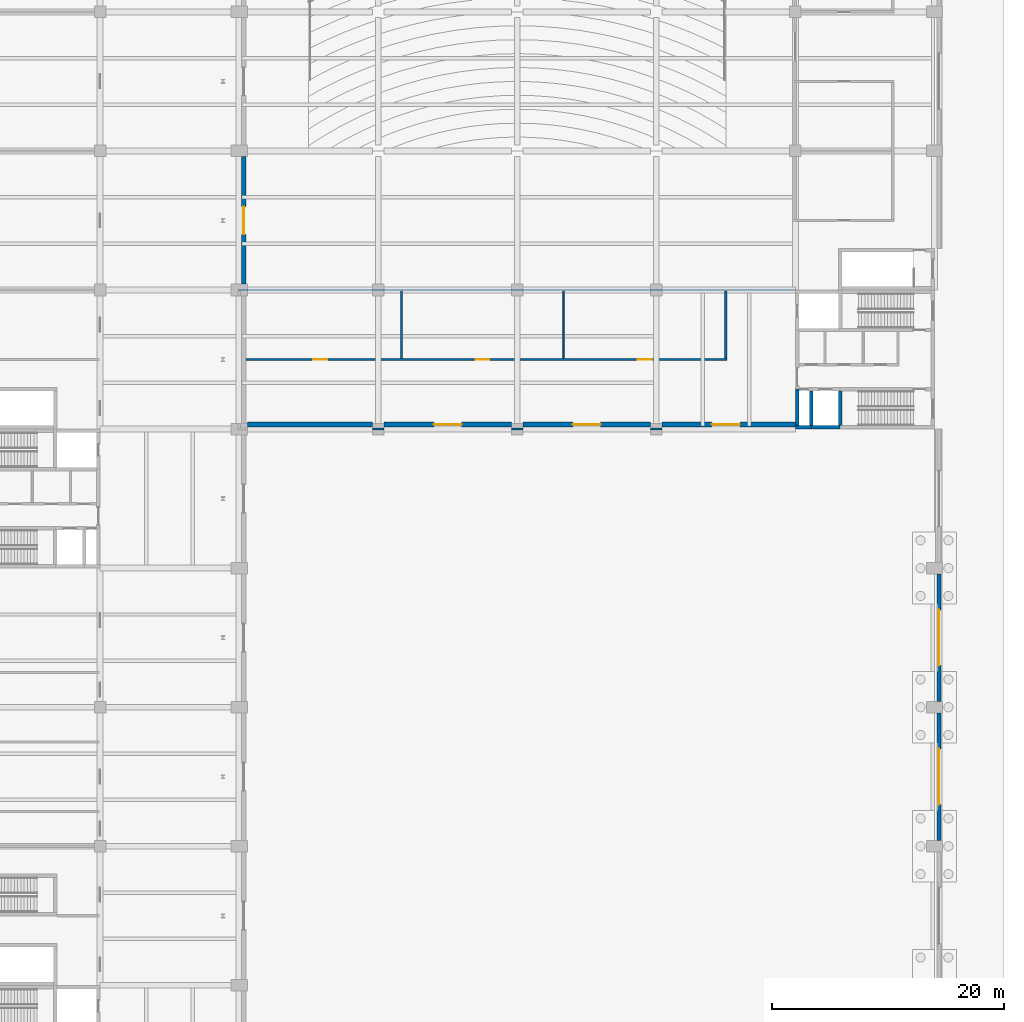
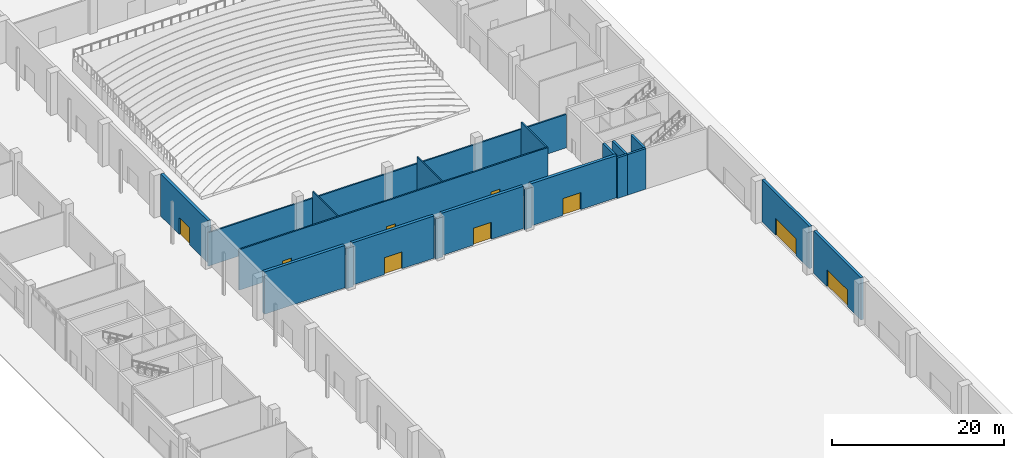
# One storey, part 38 of 59: 20 walls, 9 doors, 9 openings.
"""IFC4 building model written with IfcOpenShell, lengths in metres."""

import ifcopenshell
import ifcopenshell.guid

model = None  # the IFC model being written
_history = None  # IfcOwnerHistory: only IFC2X3 demands one
_inside = {}  # id of a spatial element -> (the spatial element, [elements in it])
_under = {}  # id of a project, library or spatial element -> (it, [spatial elements below it])
_declared = {}  # id of a project -> (the project, [libraries it declares])
_typed = {}  # id of a type object -> (the type object, [elements of that type])
_made_of = {}  # id of a material, layer set ... -> (it, [elements and type objects made of it])


def new_model(schema):
    """Start an empty IFC model of exactly this schema.

    Asked for "IFC4X3", IfcOpenShell would pick the latest addendum, in which some entities
    have other attributes; the version numbers below select the first issue.
    IFC2X3 requires an IfcOwnerHistory on every rooted entity: one is made here for all.
    """
    global model, _history
    if schema == "IFC4X3":
        model = ifcopenshell.file(schema_version=(4, 3, 0, 0))
    else:
        model = ifcopenshell.file(schema=schema)
    _inside.clear()
    _under.clear()
    _declared.clear()
    _typed.clear()
    _made_of.clear()
    _history = None
    if model.schema == "IFC2X3":
        org = make("IfcOrganization", Name="unknown")
        user = make(
            "IfcPersonAndOrganization",
            ThePerson=make("IfcPerson", FamilyName="unknown"),
            TheOrganization=org,
        )
        app = make(
            "IfcApplication",
            ApplicationDeveloper=org,
            Version="unknown",
            ApplicationFullName="unknown",
            ApplicationIdentifier="unknown",
        )
        _history = make(
            "IfcOwnerHistory",
            OwningUser=user,
            OwningApplication=app,
            ChangeAction="ADDED",
            CreationDate=0,
        )
    return model


def make(cls, **values):
    """One entity of the class cls with the attributes given. An attribute that is None is left unset."""
    return model.create_entity(
        cls, **{name: value for name, value in values.items() if value is not None}
    )


def rooted(cls, **values):
    """An entity with a GlobalId (a new one), such as an element, a storey or a relation."""
    return make(cls, GlobalId=ifcopenshell.guid.new(), OwnerHistory=_history, **values)


def si_unit(unit_type, name, prefix=None):
    """IfcSIUnit, for example si_unit("LENGTHUNIT", "METRE", prefix="MILLI")."""
    return make("IfcSIUnit", UnitType=unit_type, Prefix=prefix, Name=name)


def assignment(units):
    """IfcUnitAssignment: the units of a project."""
    return None if units is None else make("IfcUnitAssignment", Units=units)


def point(xyz):
    """IfcCartesianPoint."""
    return None if xyz is None else make("IfcCartesianPoint", Coordinates=xyz)


def direction(xyz):
    """IfcDirection."""
    return None if xyz is None else make("IfcDirection", DirectionRatios=xyz)


def frame(location, z_axis=None, x_axis=None):
    """IfcAxis2Placement3D, a coordinate frame: its origin and axes. An axis left out is left unset."""
    return make(
        "IfcAxis2Placement3D",
        Location=point(location),
        Axis=direction(z_axis),
        RefDirection=direction(x_axis),
    )


def frame_2d(location, x_axis=None):
    """IfcAxis2Placement2D, a coordinate frame in the plane: its origin and x axis."""
    return make(
        "IfcAxis2Placement2D", Location=point(location), RefDirection=direction(x_axis)
    )


def origin():
    """The frame at (0, 0, 0) with its axes left unset."""
    return frame((0.0, 0.0, 0.0))


def place(relative_to, where):
    """IfcLocalPlacement: puts the frame where relative to a parent placement (None: the world)."""
    return make(
        "IfcLocalPlacement", PlacementRelTo=relative_to, RelativePlacement=where
    )


def context(
    kind, dimensions, precision=None, world=None, true_north=None, identifier=None
):
    """IfcGeometricRepresentationContext, for example the 3D "Model" context."""
    return make(
        "IfcGeometricRepresentationContext",
        ContextIdentifier=identifier,
        ContextType=kind,
        CoordinateSpaceDimension=dimensions,
        Precision=precision,
        WorldCoordinateSystem=world,
        TrueNorth=true_north,
    )


def subcontext(parent, identifier, kind, view, scale=None):
    """IfcGeometricRepresentationSubContext, for example "Body" below "Model"."""
    return make(
        "IfcGeometricRepresentationSubContext",
        ContextIdentifier=identifier,
        ContextType=kind,
        ParentContext=parent,
        TargetScale=scale,
        TargetView=view,
    )


def project(units=None, contexts=None):
    """IfcProject with its units and contexts."""
    return rooted(
        "IfcProject",
        Name="project",
        RepresentationContexts=contexts,
        UnitsInContext=assignment(units),
    )


def spatial(cls, under=None, at=None, **own):
    """A site, building, storey or space (cls), placed at a placement, below another one or the project."""
    s = rooted(cls, ObjectPlacement=at, **own)
    if under is not None:
        _under.setdefault(under.id(), (under, []))[1].append(s)
    return s


def profile(cls, at=None, kind="AREA", **sizes):
    """A parametric profile (cls). Its sizes go by their IFC names, for example OverallWidth=200.0."""
    return make(cls, ProfileType=kind, Position=at, **sizes)


def rectangle(**sizes):
    """IfcRectangleProfileDef."""
    return profile("IfcRectangleProfileDef", **sizes)


def extrude(swept, where, along, depth):
    """IfcExtrudedAreaSolid: the profile swept, set in the frame where, extruded along a direction by depth."""
    return make(
        "IfcExtrudedAreaSolid",
        SweptArea=swept,
        Position=where,
        ExtrudedDirection=direction(along),
        Depth=depth,
    )


def shape(context_of_items, identifier, shape_type, items):
    """IfcShapeRepresentation: the items that make up one representation, for example the "Body"."""
    return make(
        "IfcShapeRepresentation",
        ContextOfItems=context_of_items,
        RepresentationIdentifier=identifier,
        RepresentationType=shape_type,
        Items=items,
    )


def material(Name=None, Category=None):
    """IfcMaterial."""
    return make("IfcMaterial", Name=Name, Category=Category)


def layer(
    of_material, thickness, ventilated=None, Name=None, Category=None, Priority=None
):
    """IfcMaterialLayer: one layer of a wall or slab, of a material (None: an air gap)."""
    return make(
        "IfcMaterialLayer",
        Material=of_material,
        LayerThickness=thickness,
        IsVentilated=ventilated,
        Name=Name,
        Category=Category,
        Priority=Priority,
    )


def layer_set(layers, Name=None):
    """IfcMaterialLayerSet."""
    return make("IfcMaterialLayerSet", MaterialLayers=layers, LayerSetName=Name)


def made_of(thing, what):
    """Note that an element or type object is made of a material, layer set ...; save() writes the relation."""
    if what is not None:
        _made_of.setdefault(what.id(), (what, []))[1].append(thing)
    return thing


def type_object(cls, material=None, **own):
    """A type object (cls), such as IfcWallType, which elements share."""
    return made_of(rooted(cls, **own), material)


def element(
    cls,
    number,
    at=None,
    inside=None,
    cuts=None,
    type_object=None,
    material=None,
    context=None,
    identifier="Body",
    shape_type=None,
    held_by="IfcProductDefinitionShape",
    body=None,
    shapes=None,
    **own,
):
    """One element of the class cls, such as IfcWall. Its Tag is "e" and its number.

    at: its placement. inside: the storey or other place that contains it. cuts: it is an
    opening in that element (IfcRelVoidsElement). A single representation is given by context,
    identifier, shape_type and body (its items); several are given by shapes. held_by: the class
    of the entity that holds the representations. save() writes the other relations.
    """
    e = rooted(cls, Tag="e%d" % number, ObjectPlacement=at, **own)
    if body is not None:
        shapes = [shape(context, identifier, shape_type, body)]
    if shapes is not None:
        e.Representation = make(held_by, Representations=shapes)
    if inside is not None:
        _inside.setdefault(inside.id(), (inside, []))[1].append(e)
    if cuts is not None:
        rooted(
            "IfcRelVoidsElement", RelatingBuildingElement=cuts, RelatedOpeningElement=e
        )
    if type_object is not None:
        _typed.setdefault(type_object.id(), (type_object, []))[1].append(e)
    return made_of(e, material)


def fill(opening, filler):
    """IfcRelFillsElement: the door or window that sits in an opening."""
    return rooted(
        "IfcRelFillsElement",
        RelatingOpeningElement=opening,
        RelatedBuildingElement=filler,
    )


def aggregate(whole, parts):
    """IfcRelAggregates: a whole, such as a stair, and the parts it consists of."""
    return rooted("IfcRelAggregates", RelatingObject=whole, RelatedObjects=parts)


def save(model, path):
    """Write the relations noted so far, then the file.

    IfcRelAggregates (storeys below a building ...), IfcRelContainedInSpatialStructure (elements
    in a storey), IfcRelDefinesByType, IfcRelAssociatesMaterial and IfcRelDeclares: one each for
    every whole, place, type object, material and project.
    """
    for whole, parts in _under.values():
        aggregate(whole, parts)
    for where, things in _inside.values():
        rooted(
            "IfcRelContainedInSpatialStructure",
            RelatedElements=things,
            RelatingStructure=where,
        )
    for kind, things in _typed.values():
        rooted("IfcRelDefinesByType", RelatedObjects=things, RelatingType=kind)
    for what, things in _made_of.values():
        rooted("IfcRelAssociatesMaterial", RelatedObjects=things, RelatingMaterial=what)
    for by, libraries in _declared.values():
        rooted("IfcRelDeclares", RelatingContext=by, RelatedDefinitions=libraries)
    model.write(path)


model = new_model("IFC4")

# Units and contexts
model_context = context("Model", 3, precision=1e-05, world=origin(), true_north=direction((0.0, 1.0)))
body_context = subcontext(model_context, "Body", "Model", "MODEL_VIEW")
ifc_project = project(units=[si_unit("LENGTHUNIT", "METRE"), si_unit("AREAUNIT", "SQUARE_METRE"), si_unit("VOLUMEUNIT", "CUBIC_METRE"), si_unit("PLANEANGLEUNIT", "RADIAN"), si_unit("MASSUNIT", "GRAM", prefix="KILO")], contexts=[model_context])

# Site, building, storey
site_placement = place(None, origin())
site = spatial("IfcSite", under=ifc_project, at=site_placement, CompositionType="ELEMENT")
building_placement = place(site_placement, origin())
building = spatial("IfcBuilding", under=site, at=building_placement, Name="Lilac Gate Convention Centre", CompositionType="ELEMENT")
storey_placement = place(building_placement, origin())
storey = spatial("IfcBuildingStorey", under=building, at=storey_placement, Name="L00", CompositionType="ELEMENT", Elevation=0.0)

# Wall, opening, door
ifc_material_1 = material(Name="Concrete C30", Category="concrete")
ifc_layer_1 = layer(ifc_material_1, 0.39990234375)
ifc_layer_set_1 = layer_set([ifc_layer_1], Name="Concrete C30")
wall_type_1 = type_object("IfcWallType", Name="Hall fire wall 400", PredefinedType="SOLIDWALL", material=ifc_layer_set_1)
wall_1_placement = place(storey_placement, frame((30.39990234375, 114.5, 0.0), z_axis=(0.0, 0.0, 1.0), x_axis=(0.0, 1.0, 0.0)))
wall_1 = element("IfcWall", 1, at=wall_1_placement, inside=storey, type_object=wall_type_1, Name="Fire wall galleria FW L00 8", PredefinedType="SOLIDWALL", context=body_context, shape_type="SweptSolid", body=[
    extrude(rectangle(XDim=11.0, YDim=0.39990234375, at=frame_2d((5.5, 0.0))), origin(), (0.0, 0.0, 1.0), 6.0),
])
opening_1_placement = place(wall_1_placement, frame((4.300048828125, 0.0, 0.0)))
opening_1 = element("IfcOpeningElement", 2, at=opening_1_placement, cuts=wall_1, Name="Opening L00-061", PredefinedType="OPENING", context=body_context, shape_type="SweptSolid", body=[
    extrude(rectangle(XDim=2.39990234375, YDim=2.39990234375, at=frame_2d((1.199951171875, 1.199951171875))), frame((0.0, 0.2099609375, 0.0), z_axis=(0.0, -1.0, 0.0), x_axis=(1.0, 0.0, 0.0)), (0.0, 0.0, 1.0), 0.419921875),
])
ifc_material_2 = material(Name="Steel Q235B", Category="steel")
door_type_1 = type_object("IfcDoorType", Name="Door 2400 x 2400 double leaf FD90", OperationType="DOUBLE_DOOR_SINGLE_SWING", PredefinedType="DOOR", material=ifc_material_2)
door_1_placement = place(opening_1_placement, origin())
door_1 = element("IfcDoor", 3, at=door_1_placement, inside=storey, type_object=door_type_1, Name="Hall exit door L00-061", OperationType="DOUBLE_DOOR_SINGLE_SWING", OverallHeight=2.39990234375, OverallWidth=2.39990234375, PredefinedType="DOOR", context=body_context, shape_type="SweptSolid", body=[
    extrude(rectangle(XDim=2.39990234375, YDim=2.39990234375, at=frame_2d((1.199951171875, 1.199951171875))), frame((0.0, 0.02490234375, 0.0), z_axis=(0.0, -1.0, 0.0), x_axis=(1.0, 0.0, 0.0)), (0.0, 0.0, 1.0), 0.050048828125),
])
fill(opening_1, door_1)

# Wall
wall_2_placement = place(storey_placement, frame((30.699951171875, 102.39990234375, 0.0), z_axis=(0.0, 0.0, 1.0), x_axis=(1.0, 0.0, 0.0)))
element("IfcWall", 4, at=wall_2_placement, inside=storey, type_object=wall_type_1, Name="Fire wall exhibition hall HN L00 1", PredefinedType="SOLIDWALL", context=body_context, shape_type="SweptSolid", body=[
    extrude(rectangle(XDim=10.800048828125, YDim=0.39990234375, at=frame_2d((5.39990234375, 0.0))), origin(), (0.0, 0.0, 1.0), 6.0),
])

# Wall, opening, door
wall_3_placement = place(storey_placement, frame((42.5, 102.39990234375, 0.0), z_axis=(0.0, 0.0, 1.0), x_axis=(1.0, 0.0, 0.0)))
wall_3 = element("IfcWall", 5, at=wall_3_placement, inside=storey, type_object=wall_type_1, Name="Fire wall exhibition hall HN L00 2", PredefinedType="SOLIDWALL", context=body_context, shape_type="SweptSolid", body=[
    extrude(rectangle(XDim=11.0, YDim=0.39990234375, at=frame_2d((5.5, 0.0))), origin(), (0.0, 0.0, 1.0), 6.0),
])
opening_2_placement = place(wall_3_placement, frame((4.300048828125, 0.0, 0.0)))
opening_2 = element("IfcOpeningElement", 6, at=opening_2_placement, cuts=wall_3, Name="Opening L00-038", PredefinedType="OPENING", context=body_context, shape_type="SweptSolid", body=[
    extrude(rectangle(XDim=2.39990234375, YDim=2.39990234375, at=frame_2d((1.199951171875, 1.199951171875))), frame((0.0, 0.2099609375, 0.0), z_axis=(0.0, -1.0, 0.0), x_axis=(1.0, 0.0, 0.0)), (0.0, 0.0, 1.0), 0.419921875),
])
door_2_placement = place(opening_2_placement, origin())
door_2 = element("IfcDoor", 7, at=door_2_placement, inside=storey, type_object=door_type_1, Name="Hall exit door L00-038", OperationType="DOUBLE_DOOR_SINGLE_SWING", OverallHeight=2.39990234375, OverallWidth=2.39990234375, PredefinedType="DOOR", context=body_context, shape_type="SweptSolid", body=[
    extrude(rectangle(XDim=2.39990234375, YDim=2.39990234375, at=frame_2d((1.199951171875, 1.199951171875))), frame((0.0, 0.02490234375, 0.0), z_axis=(0.0, -1.0, 0.0), x_axis=(1.0, 0.0, 0.0)), (0.0, 0.0, 1.0), 0.050048828125),
])
fill(opening_2, door_2)

wall_4_placement = place(storey_placement, frame((54.5, 102.39990234375, 0.0), z_axis=(0.0, 0.0, 1.0), x_axis=(1.0, 0.0, 0.0)))
wall_4 = element("IfcWall", 8, at=wall_4_placement, inside=storey, type_object=wall_type_1, Name="Fire wall exhibition hall HN L00 3", PredefinedType="SOLIDWALL", context=body_context, shape_type="SweptSolid", body=[
    extrude(rectangle(XDim=11.0, YDim=0.39990234375, at=frame_2d((5.5, 0.0))), origin(), (0.0, 0.0, 1.0), 6.0),
])
opening_3_placement = place(wall_4_placement, frame((4.300048828125, 0.0, 0.0)))
opening_3 = element("IfcOpeningElement", 9, at=opening_3_placement, cuts=wall_4, Name="Opening L00-039", PredefinedType="OPENING", context=body_context, shape_type="SweptSolid", body=[
    extrude(rectangle(XDim=2.39990234375, YDim=2.39990234375, at=frame_2d((1.199951171875, 1.199951171875))), frame((0.0, 0.2099609375, 0.0), z_axis=(0.0, -1.0, 0.0), x_axis=(1.0, 0.0, 0.0)), (0.0, 0.0, 1.0), 0.419921875),
])
door_3_placement = place(opening_3_placement, origin())
door_3 = element("IfcDoor", 10, at=door_3_placement, inside=storey, type_object=door_type_1, Name="Hall exit door L00-039", OperationType="DOUBLE_DOOR_SINGLE_SWING", OverallHeight=2.39990234375, OverallWidth=2.39990234375, PredefinedType="DOOR", context=body_context, shape_type="SweptSolid", body=[
    extrude(rectangle(XDim=2.39990234375, YDim=2.39990234375, at=frame_2d((1.199951171875, 1.199951171875))), frame((0.0, 0.02490234375, 0.0), z_axis=(0.0, -1.0, 0.0), x_axis=(1.0, 0.0, 0.0)), (0.0, 0.0, 1.0), 0.050048828125),
])
fill(opening_3, door_3)

wall_5_placement = place(storey_placement, frame((66.5, 102.39990234375, 0.0), z_axis=(0.0, 0.0, 1.0), x_axis=(1.0, 0.0, 0.0)))
wall_5 = element("IfcWall", 11, at=wall_5_placement, inside=storey, type_object=wall_type_1, Name="Fire wall exhibition hall HN L00 4", PredefinedType="SOLIDWALL", context=body_context, shape_type="SweptSolid", body=[
    extrude(rectangle(XDim=11.5, YDim=0.39990234375, at=frame_2d((5.75, 0.0))), origin(), (0.0, 0.0, 1.0), 6.0),
])
opening_4_placement = place(wall_5_placement, frame((4.300048828125, 0.0, 0.0)))
opening_4 = element("IfcOpeningElement", 12, at=opening_4_placement, cuts=wall_5, Name="Opening L00-040", PredefinedType="OPENING", context=body_context, shape_type="SweptSolid", body=[
    extrude(rectangle(XDim=2.39990234375, YDim=2.39990234375, at=frame_2d((1.199951171875, 1.199951171875))), frame((0.0, 0.2099609375, 0.0), z_axis=(0.0, -1.0, 0.0), x_axis=(1.0, 0.0, 0.0)), (0.0, 0.0, 1.0), 0.419921875),
])
door_4_placement = place(opening_4_placement, origin())
door_4 = element("IfcDoor", 13, at=door_4_placement, inside=storey, type_object=door_type_1, Name="Hall exit door L00-040", OperationType="DOUBLE_DOOR_SINGLE_SWING", OverallHeight=2.39990234375, OverallWidth=2.39990234375, PredefinedType="DOOR", context=body_context, shape_type="SweptSolid", body=[
    extrude(rectangle(XDim=2.39990234375, YDim=2.39990234375, at=frame_2d((1.199951171875, 1.199951171875))), frame((0.0, 0.02490234375, 0.0), z_axis=(0.0, -1.0, 0.0), x_axis=(1.0, 0.0, 0.0)), (0.0, 0.0, 1.0), 0.050048828125),
])
fill(opening_4, door_4)

# Walls
ifc_material_3 = material(Name="Fire-rated gypsum board on steel stud", Category="steel")
ifc_layer_2 = layer(ifc_material_3, 0.14990234375)
ifc_layer_set_2 = layer_set([ifc_layer_2], Name="Fire-rated gypsum board on steel stud")
wall_type_2 = type_object("IfcWallType", Name="Partition 150 fire-rated gypsum board EI 60", PredefinedType="PARTITIONING", material=ifc_layer_set_2)
for number, where, z_axis, x_axis, name in (
    (14, (44.0, 108.10009765625, 0.0), (0.0, 0.0, 1.0), (0.0, 1.0, 0.0), "Partition 150 fire-rated gypsum board EI 60"),
    (15, (58.0, 108.10009765625, 0.0), (0.0, 0.0, 1.0), (0.0, 1.0, 0.0), "Partition 150 fire-rated gypsum board EI 60"),
):
    element("IfcWall", number, at=place(storey_placement, frame(where, z_axis=z_axis, x_axis=x_axis)), inside=storey, type_object=wall_type_2, Name=name, PredefinedType="PARTITIONING", context=body_context, shape_type="SweptSolid", body=[
        extrude(rectangle(XDim=5.7998046875, YDim=0.14990234375, at=frame_2d((2.89990234375, 0.0))), origin(), (0.0, 0.0, 1.0), 5.75),
    ])
ifc_material_4 = material(Name="Clay brick masonry", Category="masonry")
ifc_layer_3 = layer(ifc_material_4, 0.199951171875)
ifc_layer_set_3 = layer_set([ifc_layer_3], Name="Clay brick masonry")
wall_type_3 = type_object("IfcWallType", Name="Partition 200 brick EI 120", PredefinedType="PARTITIONING", material=ifc_layer_set_3)
for number, where, z_axis, x_axis, name in (
    (16, (41.5, 102.0, 0.0), (0.0, 0.0, 1.0), (1.0, 0.0, 0.0), "Partition 200 brick EI 120"),
    (17, (53.5, 102.0, 0.0), (0.0, 0.0, 1.0), (1.0, 0.0, 0.0), "Partition 200 brick EI 120"),
    (18, (65.5, 102.0, 0.0), (0.0, 0.0, 1.0), (1.0, 0.0, 0.0), "Partition 200 brick EI 120"),
):
    element("IfcWall", number, at=place(storey_placement, frame(where, z_axis=z_axis, x_axis=x_axis)), inside=storey, type_object=wall_type_3, Name=name, PredefinedType="PARTITIONING", context=body_context, shape_type="SweptSolid", body=[
        extrude(rectangle(XDim=1.0, YDim=0.199951171875, at=frame_2d((0.5, 0.0))), origin(), (0.0, 0.0, 1.0), 5.75),
    ])
wall_6_placement = place(storey_placement, frame((29.89990234375, 114.0, 0.0), z_axis=(0.0, 0.0, 1.0), x_axis=(1.0, 0.0, 0.0)))
element("IfcWall", 19, at=wall_6_placement, inside=storey, type_object=wall_type_3, Name="Partition 200 brick EI 120", PredefinedType="PARTITIONING", context=body_context, shape_type="SweptSolid", body=[
    extrude(rectangle(XDim=48.10009765625, YDim=0.199951171875, at=frame_2d((24.050048828125, 0.0))), origin(), (0.0, 0.0, 1.0), 4.75),
])

# Wall, openings, doors
ifc_layer_4 = layer(ifc_material_4, 0.199951171875)
ifc_layer_set_4 = layer_set([ifc_layer_4], Name="Clay brick masonry")
wall_type_4 = type_object("IfcWallType", Name="Partition 200 brick EI 60", PredefinedType="PARTITIONING", material=ifc_layer_set_4)
wall_7_placement = place(storey_placement, frame((30.599853515625, 108.0, 0.0), z_axis=(0.0, 0.0, 1.0), x_axis=(1.0, 0.0, 0.0)))
wall_7 = element("IfcWall", 20, at=wall_7_placement, inside=storey, type_object=wall_type_4, Name="Partition 200 brick EI 60", PredefinedType="PARTITIONING", context=body_context, shape_type="SweptSolid", body=[
    extrude(rectangle(XDim=41.500244140625, YDim=0.199951171875, at=frame_2d((20.75, 0.0))), origin(), (0.0, 0.0, 1.0), 5.75),
])
opening_5_placement = place(wall_7_placement, frame((5.800048828125, 0.0, 0.0)))
opening_5 = element("IfcOpeningElement", 21, at=opening_5_placement, cuts=wall_7, Name="Opening L00-051", PredefinedType="OPENING", context=body_context, shape_type="SweptSolid", body=[
    extrude(rectangle(XDim=1.199951171875, YDim=2.10009765625, at=frame_2d((0.60009765625, 1.050048828125))), frame((0.0, 0.10986328125, 0.0), z_axis=(0.0, -1.0, 0.0), x_axis=(1.0, 0.0, 0.0)), (0.0, 0.0, 1.0), 0.219970703125),
])
opening_6_placement = place(wall_7_placement, frame((19.800048828125, 0.0, 0.0)))
opening_6 = element("IfcOpeningElement", 22, at=opening_6_placement, cuts=wall_7, Name="Opening L00-052", PredefinedType="OPENING", context=body_context, shape_type="SweptSolid", body=[
    extrude(rectangle(XDim=1.199951171875, YDim=2.10009765625, at=frame_2d((0.60009765625, 1.050048828125))), frame((0.0, 0.10986328125, 0.0), z_axis=(0.0, -1.0, 0.0), x_axis=(1.0, 0.0, 0.0)), (0.0, 0.0, 1.0), 0.219970703125),
])
opening_7_placement = place(wall_7_placement, frame((33.800048828125, 0.0, 0.0)))
opening_7 = element("IfcOpeningElement", 23, at=opening_7_placement, cuts=wall_7, Name="Opening L00-053", PredefinedType="OPENING", context=body_context, shape_type="SweptSolid", body=[
    extrude(rectangle(XDim=1.199951171875, YDim=2.10009765625, at=frame_2d((0.60009765625, 1.050048828125))), frame((0.0, 0.10986328125, 0.0), z_axis=(0.0, -1.0, 0.0), x_axis=(1.0, 0.0, 0.0)), (0.0, 0.0, 1.0), 0.219970703125),
])
ifc_material_5 = material(Name="Timber fire door leaf", Category="wood")
door_type_2 = type_object("IfcDoorType", Name="Door 1200 x 2100 single leaf FD30", OperationType="SINGLE_SWING_LEFT", PredefinedType="DOOR", material=ifc_material_5)
door_5_placement = place(opening_5_placement, origin())
door_5 = element("IfcDoor", 24, at=door_5_placement, inside=storey, type_object=door_type_2, Name="Store door L00-051", OperationType="SINGLE_SWING_RIGHT", OverallHeight=2.10009765625, OverallWidth=1.199951171875, PredefinedType="DOOR", context=body_context, shape_type="SweptSolid", body=[
    extrude(rectangle(XDim=1.199951171875, YDim=2.10009765625, at=frame_2d((0.60009765625, 1.050048828125))), frame((0.0, 0.02490234375, 0.0), z_axis=(0.0, -1.0, 0.0), x_axis=(1.0, 0.0, 0.0)), (0.0, 0.0, 1.0), 0.050048828125),
])
fill(opening_5, door_5)
door_6_placement = place(opening_6_placement, origin())
door_6 = element("IfcDoor", 25, at=door_6_placement, inside=storey, type_object=door_type_2, Name="Store door L00-052", OperationType="SINGLE_SWING_RIGHT", OverallHeight=2.10009765625, OverallWidth=1.199951171875, PredefinedType="DOOR", context=body_context, shape_type="SweptSolid", body=[
    extrude(rectangle(XDim=1.199951171875, YDim=2.10009765625, at=frame_2d((0.60009765625, 1.050048828125))), frame((0.0, 0.02490234375, 0.0), z_axis=(0.0, -1.0, 0.0), x_axis=(1.0, 0.0, 0.0)), (0.0, 0.0, 1.0), 0.050048828125),
])
fill(opening_6, door_6)
door_7_placement = place(opening_7_placement, origin())
door_7 = element("IfcDoor", 26, at=door_7_placement, inside=storey, type_object=door_type_2, Name="Office door L00-053", OperationType="SINGLE_SWING_LEFT", OverallHeight=2.10009765625, OverallWidth=1.199951171875, PredefinedType="DOOR", context=body_context, shape_type="SweptSolid", body=[
    extrude(rectangle(XDim=1.199951171875, YDim=2.10009765625, at=frame_2d((0.60009765625, 1.050048828125))), frame((0.0, 0.02490234375, 0.0), z_axis=(0.0, -1.0, 0.0), x_axis=(1.0, 0.0, 0.0)), (0.0, 0.0, 1.0), 0.050048828125),
])
fill(opening_7, door_7)

# Wall
wall_8_placement = place(storey_placement, frame((72.0, 108.10009765625, 0.0), z_axis=(0.0, 0.0, 1.0), x_axis=(0.0, 1.0, 0.0)))
element("IfcWall", 27, at=wall_8_placement, inside=storey, type_object=wall_type_4, Name="Partition 200 brick EI 60", PredefinedType="PARTITIONING", context=body_context, shape_type="SweptSolid", body=[
    extrude(rectangle(XDim=5.7998046875, YDim=0.199951171875, at=frame_2d((2.89990234375, 0.0))), origin(), (0.0, 0.0, 1.0), 5.75),
])

# Wall, opening, door
ifc_material_6 = material(Name="Ochre mineral render")
ifc_layer_5 = layer(ifc_material_6, 0.02001953125)
ifc_material_7 = material(Name="Concrete C40 precast", Category="concrete")
ifc_layer_6 = layer(ifc_material_7, 0.06005859375)
ifc_material_8 = material(Name="Ventilated air cavity")
ifc_layer_7 = layer(ifc_material_8, 0.030029296875)
ifc_material_9 = material(Name="Mineral wool insulation")
ifc_layer_8 = layer(ifc_material_9, 0.169921875)
ifc_material_10 = material(Name="Steel stud Q345 and gypsum lining", Category="steel")
ifc_layer_9 = layer(ifc_material_10, 0.070068359375)
ifc_layer_set_5 = layer_set([ifc_layer_5, ifc_layer_6, ifc_layer_7, ifc_layer_8, ifc_layer_9], Name="Ochre mineral render, Concrete C40 precast, Ventilated air cavity, Mineral wool insulation, Steel stud Q345 and gypsum lining")
wall_type_5 = type_object("IfcWallType", Name="Podium precast wall 350", PredefinedType="STANDARD", material=ifc_layer_set_5)
wall_9_placement = place(storey_placement, frame((90.375, 66.5, 0.0), z_axis=(0.0, 0.0, 1.0), x_axis=(0.0, 1.0, 0.0)))
wall_9 = element("IfcWall", 28, at=wall_9_placement, inside=storey, type_object=wall_type_5, Name="External wall hall east HE L00 4", PredefinedType="STANDARD", context=body_context, shape_type="SweptSolid", body=[
    extrude(rectangle(XDim=11.0, YDim=0.35009765625, at=frame_2d((5.5, 0.0))), origin(), (0.0, 0.0, 1.0), 6.0),
])
opening_8_placement = place(wall_9_placement, frame((3.10009765625, 0.0, 0.0)))
opening_8 = element("IfcOpeningElement", 29, at=opening_8_placement, cuts=wall_9, Name="Opening ED-025", PredefinedType="OPENING", context=body_context, shape_type="SweptSolid", body=[
    extrude(rectangle(XDim=4.800048828125, YDim=2.39990234375, at=frame_2d((2.39990234375, 1.199951171875))), frame((0.0, 0.18505859375, 0.0), z_axis=(0.0, -1.0, 0.0), x_axis=(1.0, 0.0, 0.0)), (0.0, 0.0, 1.0), 0.3701171875),
])
door_type_3 = type_object("IfcDoorType", Name="Exit door set 4800 x 2400", OperationType="DOUBLE_DOOR_SINGLE_SWING", PredefinedType="DOOR", material=ifc_material_2)
door_8_placement = place(opening_8_placement, frame((4.800048828125, 0.0, 0.0), z_axis=(0.0, 0.0, 1.0), x_axis=(-1.0, 0.0, 0.0)))
door_8 = element("IfcDoor", 30, at=door_8_placement, inside=storey, type_object=door_type_3, Name="Pedestrian exit doors G14", OperationType="DOUBLE_DOOR_SINGLE_SWING", OverallHeight=2.39990234375, OverallWidth=4.800048828125, PredefinedType="DOOR", context=body_context, shape_type="SweptSolid", body=[
    extrude(rectangle(XDim=4.800048828125, YDim=2.39990234375, at=frame_2d((2.39990234375, 1.199951171875))), frame((0.0, 0.02490234375, 0.0), z_axis=(0.0, -1.0, 0.0), x_axis=(1.0, 0.0, 0.0)), (0.0, 0.0, 1.0), 0.050048828125),
])
fill(opening_8, door_8)

wall_10_placement = place(storey_placement, frame((90.375, 78.5, 0.0), z_axis=(0.0, 0.0, 1.0), x_axis=(0.0, 1.0, 0.0)))
wall_10 = element("IfcWall", 31, at=wall_10_placement, inside=storey, type_object=wall_type_5, Name="External wall hall east HE L00 5", PredefinedType="STANDARD", context=body_context, shape_type="SweptSolid", body=[
    extrude(rectangle(XDim=11.0, YDim=0.35009765625, at=frame_2d((5.5, 0.0))), origin(), (0.0, 0.0, 1.0), 6.0),
])
opening_9_placement = place(wall_10_placement, frame((3.10009765625, 0.0, 0.0)))
opening_9 = element("IfcOpeningElement", 32, at=opening_9_placement, cuts=wall_10, Name="Opening ED-026", PredefinedType="OPENING", context=body_context, shape_type="SweptSolid", body=[
    extrude(rectangle(XDim=4.800048828125, YDim=2.39990234375, at=frame_2d((2.39990234375, 1.199951171875))), frame((0.0, 0.18505859375, 0.0), z_axis=(0.0, -1.0, 0.0), x_axis=(1.0, 0.0, 0.0)), (0.0, 0.0, 1.0), 0.3701171875),
])
door_9_placement = place(opening_9_placement, frame((4.800048828125, 0.0, 0.0), z_axis=(0.0, 0.0, 1.0), x_axis=(-1.0, 0.0, 0.0)))
door_9 = element("IfcDoor", 33, at=door_9_placement, inside=storey, type_object=door_type_3, Name="Pedestrian exit doors G15", OperationType="DOUBLE_DOOR_SINGLE_SWING", OverallHeight=2.39990234375, OverallWidth=4.800048828125, PredefinedType="DOOR", context=body_context, shape_type="SweptSolid", body=[
    extrude(rectangle(XDim=4.800048828125, YDim=2.39990234375, at=frame_2d((2.39990234375, 1.199951171875))), frame((0.0, 0.02490234375, 0.0), z_axis=(0.0, -1.0, 0.0), x_axis=(1.0, 0.0, 0.0)), (0.0, 0.0, 1.0), 0.050048828125),
])
fill(opening_9, door_9)

# Walls
ifc_material_11 = material(Name="Concrete C40", Category="concrete")
ifc_layer_10 = layer(ifc_material_11, 0.300048828125)
ifc_layer_set_6 = layer_set([ifc_layer_10], Name="Concrete C40")
wall_type_6 = type_object("IfcWallType", Name="Shear wall 300 C40", PredefinedType="SHEAR", material=ifc_layer_set_6)
wall_11_placement = place(storey_placement, frame((81.85009765625, 102.14990234375, 0.0), z_axis=(0.0, 0.0, 1.0), x_axis=(-1.0, 0.0, 0.0)))
element("IfcWall", 34, at=wall_11_placement, inside=storey, type_object=wall_type_6, Name="SW1 shear wall E1 L00 2", PredefinedType="SHEAR", context=body_context, shape_type="SweptSolid", body=[
    extrude(rectangle(XDim=2.5, YDim=0.300048828125, at=frame_2d((1.25, 0.0))), origin(), (0.0, 0.0, 1.0), 5.75),
])
wall_12_placement = place(storey_placement, frame((79.35009765625, 102.14990234375, 0.0), z_axis=(0.0, 0.0, 1.0), x_axis=(-1.0, 0.0, 0.0)))
element("IfcWall", 35, at=wall_12_placement, inside=storey, type_object=wall_type_6, Name="SW1 shear wall E1 L00 3", PredefinedType="SHEAR", context=body_context, shape_type="SweptSolid", body=[
    extrude(rectangle(XDim=1.35009765625, YDim=0.300048828125, at=frame_2d((0.675048828125, 0.0))), origin(), (0.0, 0.0, 1.0), 5.75),
])
wall_13_placement = place(storey_placement, frame((78.14990234375, 102.300048828125, 0.0), z_axis=(0.0, 0.0, 1.0), x_axis=(0.0, 1.0, 0.0)))
element("IfcWall", 36, at=wall_13_placement, inside=storey, type_object=wall_type_6, Name="SW1 shear wall E1 L00 14", PredefinedType="SHEAR", context=body_context, shape_type="SweptSolid", body=[
    extrude(rectangle(XDim=3.14990234375, YDim=0.300048828125, at=frame_2d((1.574951171875, 0.0))), origin(), (0.0, 0.0, 1.0), 5.75),
])
for number, where, z_axis, x_axis, name in (
    (37, (81.85009765625, 102.300048828125, 0.0), (0.0, 0.0, 1.0), (0.0, 1.0, 0.0), "SW1 shear wall E1 L00 17"),
    (38, (79.35009765625, 102.300048828125, 0.0), (0.0, 0.0, 1.0), (0.0, 1.0, 0.0), "SW1 shear wall E1 L00 19"),
):
    element("IfcWall", number, at=place(storey_placement, frame(where, z_axis=z_axis, x_axis=x_axis)), inside=storey, type_object=wall_type_6, Name=name, PredefinedType="SHEAR", context=body_context, shape_type="SweptSolid", body=[
        extrude(rectangle(XDim=3.0, YDim=0.300048828125, at=frame_2d((1.5, 0.0))), origin(), (0.0, 0.0, 1.0), 5.75),
    ])

save(model, "model.ifc")
